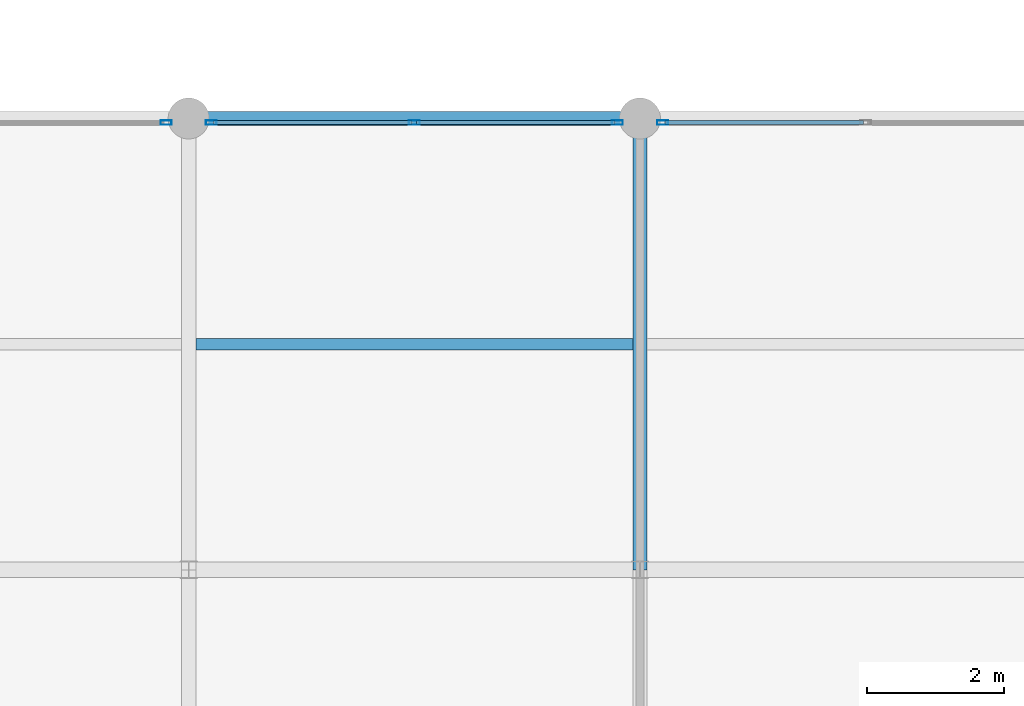
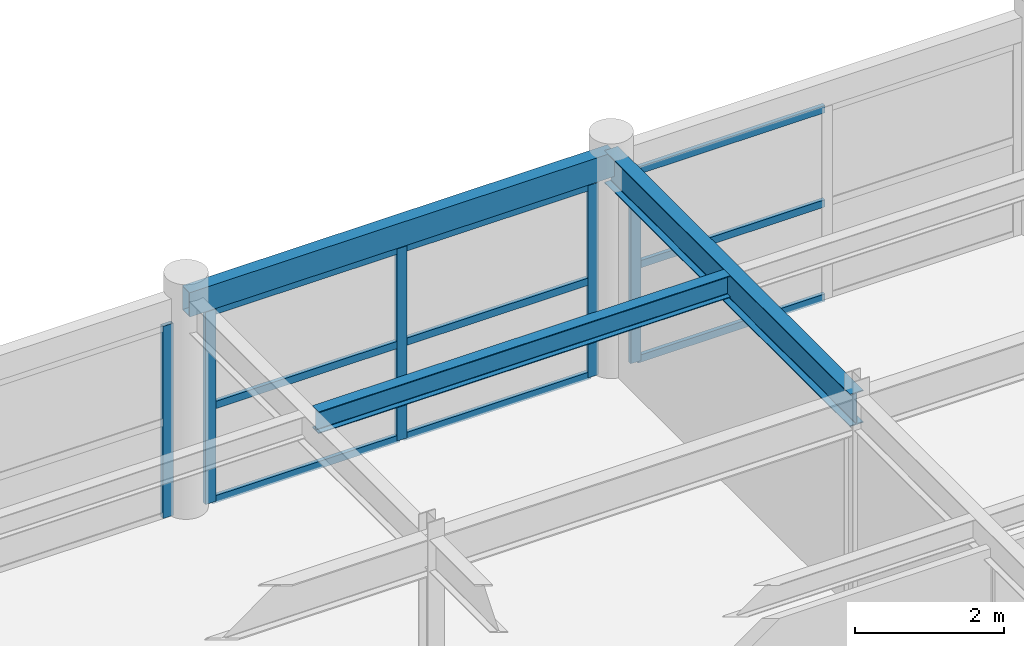
# One storey, part 7 of 28: 14 members, 3 beams, 3 elements without a shape of their own.
"""IFC4 building model written with IfcOpenShell, lengths in metres."""

from ifc_helpers import new_model, si_unit, direction, frame, origin, origin_2d, place, context, subcontext, project, spatial, hollow_rectangle, i_section, extrude, material, material_profile, profile_set, type_object, element, aggregate, save


model = new_model("IFC4")

# Units and contexts
model_context = context("Model", 3, precision=1e-05, world=origin(), true_north=direction((0.0, 1.0)))
body_context = subcontext(model_context, "Body", "Model", "MODEL_VIEW")
ifc_project = project(units=[si_unit("LENGTHUNIT", "METRE"), si_unit("AREAUNIT", "SQUARE_METRE"), si_unit("VOLUMEUNIT", "CUBIC_METRE"), si_unit("PLANEANGLEUNIT", "RADIAN"), si_unit("MASSUNIT", "GRAM", prefix="KILO")], contexts=[model_context])

# Site, building, storey
site_placement = place(None, origin())
site = spatial("IfcSite", under=ifc_project, at=site_placement, CompositionType="ELEMENT")
building_placement = place(site_placement, origin())
building = spatial("IfcBuilding", under=site, at=building_placement, Name="Karori Crest Natural Sciences Institute", CompositionType="ELEMENT")
storey_placement = place(building_placement, frame((0.0, 0.0, 34.300048828125)))
storey = spatial("IfcBuildingStorey", under=building, at=storey_placement, Name="L08", CompositionType="ELEMENT", Elevation=34.300048828125)

# Beams
ifc_material_1 = material(Name="Structural steel AS/NZS 3679.1 Grade 350", Category="steel")
ifc_material_profile_1 = material_profile(ifc_material_1, i_section(OverallWidth=0.208984375, OverallDepth=0.532958984375, WebThickness=0.01025390625, FlangeThickness=0.015625, FilletRadius=0.013916015625, at=origin_2d()), Name="530UB92.4")
ifc_profile_set_1 = profile_set([ifc_material_profile_1], Name="Structural steel AS/NZS 3679.1 Grade 350")
beam_type_1 = type_object("IfcBeamType", Name="BT-05", PredefinedType="BEAM", material=ifc_profile_set_1)
beam_1_placement = place(storey_placement, frame((116.800048828125, 14.0, 3.303466796875), z_axis=(0.0, 1.0, 0.0), x_axis=(-1.0, 0.0, 0.0)))
element("IfcBeam", 1, at=beam_1_placement, inside=storey, type_object=beam_type_1, Name="Beam B-2729", PredefinedType="BEAM", context=body_context, shape_type="SweptSolid", body=[
    extrude(i_section(OverallWidth=0.208984375, OverallDepth=0.532958984375, WebThickness=0.01025390625, FlangeThickness=0.015625, FilletRadius=0.013916015625, at=origin_2d()), origin(), (0.0, 0.0, 1.0), 6.60009765625),
])
ifc_material_profile_2 = material_profile(ifc_material_1, i_section(OverallWidth=0.172119140625, OverallDepth=0.35888671875, WebThickness=0.008056640625, FlangeThickness=0.012939453125, FilletRadius=0.010986328125, at=origin_2d()), Name="360UB56.7")
ifc_profile_set_2 = profile_set([ifc_material_profile_2], Name="Structural steel AS/NZS 3679.1 Grade 350")
beam_type_2 = type_object("IfcBeamType", Name="BT-08", PredefinedType="BEAM", material=ifc_profile_set_2)
beam_2_placement = place(storey_placement, frame((110.304443359375, 17.300048828125, 3.390380859375), z_axis=(1.0, 0.0, 0.0), x_axis=(0.0, 1.0, 0.0)))
element("IfcBeam", 2, at=beam_2_placement, inside=storey, type_object=beam_type_2, Name="Beam B-2748", PredefinedType="BEAM", context=body_context, shape_type="SweptSolid", body=[
    extrude(i_section(OverallWidth=0.172119140625, OverallDepth=0.35888671875, WebThickness=0.008056640625, FlangeThickness=0.012939453125, FilletRadius=0.010986328125, at=origin_2d()), origin(), (0.0, 0.0, 1.0), 6.39111328125),
])
ifc_material_2 = material(Name="Hollow structural steel AS/NZS 1163 Grade C350", Category="steel")
ifc_material_profile_3 = material_profile(ifc_material_2, hollow_rectangle(XDim=0.199951171875, YDim=0.39990234375, WallThickness=0.012451171875, at=origin_2d()), Name="RHS400x200x12.5")
ifc_profile_set_3 = profile_set([ifc_material_profile_3], Name="Hollow structural steel AS/NZS 1163 Grade C350")
beam_type_3 = type_object("IfcBeamType", Name="BT-14", PredefinedType="SPANDREL", material=ifc_profile_set_3)
beam_3_placement = place(storey_placement, frame((110.199951171875, 20.60009765625, 3.369873046875), z_axis=(1.0, 0.0, 0.0), x_axis=(0.0, 1.0, 0.0)))
element("IfcBeam", 3, at=beam_3_placement, inside=storey, type_object=beam_type_3, Name="Beam B-2715", PredefinedType="SPANDREL", context=body_context, shape_type="SweptSolid", body=[
    extrude(hollow_rectangle(XDim=0.199951171875, YDim=0.39990234375, WallThickness=0.012451171875, at=origin_2d()), origin(), (0.0, 0.0, 1.0), 6.60009765625),
])

# Curtain wall, member
ifc_material_3 = material(Name="Anodised architectural aluminium 6063-T6", Category="aluminium")
curtain_wall_type = type_object("IfcCurtainWallType", Name="CWT-20", PredefinedType="NOTDEFINED", material=ifc_material_3)
curtain_wall_1_placement = place(storey_placement, origin())
curtain_wall_1 = element("IfcCurtainWall", 4, at=curtain_wall_1_placement, inside=storey, type_object=curtain_wall_type, Name="Curtain wall CW-0365", PredefinedType="NOTDEFINED")
ifc_material_profile_4 = material_profile(ifc_material_3, hollow_rectangle(XDim=0.06494140625, YDim=0.159912109375, WallThickness=0.00390625, at=origin_2d()), Name="CWM160x65x4")
ifc_profile_set_4 = profile_set([ifc_material_profile_4], Name="Anodised architectural aluminium 6063-T6")
member_type_1 = type_object("IfcMemberType", Name="CWM-01", PredefinedType="MULLION", material=ifc_profile_set_4)
member_1_placement = place(storey_placement, frame((109.869384765625, 20.5400390625, 0.0), z_axis=(0.0, 0.0, 1.0), x_axis=(0.0, 1.0, 0.0)))
member_1 = element("IfcMember", 5, at=member_1_placement, type_object=member_type_1, Name="CW-0365 mullion 3", PredefinedType="MULLION", context=body_context, shape_type="SweptSolid", body=[
    extrude(hollow_rectangle(XDim=0.06494140625, YDim=0.159912109375, WallThickness=0.00390625, at=origin_2d()), origin(), (0.0, 0.0, 1.0), 3.155029296875),
])
aggregate(curtain_wall_1, [member_1])

# Curtain wall, members
curtain_wall_2_placement = place(storey_placement, origin())
curtain_wall_2 = element("IfcCurtainWall", 6, at=curtain_wall_2_placement, inside=storey, type_object=curtain_wall_type, Name="Curtain wall CW-0366", PredefinedType="NOTDEFINED")
member_2_placement = place(storey_placement, frame((110.530517578125, 20.5400390625, 0.0), z_axis=(0.0, 0.0, 1.0), x_axis=(0.0, 1.0, 0.0)))
member_2 = element("IfcMember", 7, at=member_2_placement, type_object=member_type_1, Name="CW-0366 mullion 1", PredefinedType="MULLION", context=body_context, shape_type="SweptSolid", body=[
    extrude(hollow_rectangle(XDim=0.06494140625, YDim=0.159912109375, WallThickness=0.00390625, at=origin_2d()), origin(), (0.0, 0.0, 1.0), 3.155029296875),
])
member_3_placement = place(storey_placement, frame((113.5, 20.5400390625, 0.0), z_axis=(0.0, 0.0, 1.0), x_axis=(0.0, 1.0, 0.0)))
member_3 = element("IfcMember", 8, at=member_3_placement, type_object=member_type_1, Name="CW-0366 mullion 2", PredefinedType="MULLION", context=body_context, shape_type="SweptSolid", body=[
    extrude(hollow_rectangle(XDim=0.06494140625, YDim=0.159912109375, WallThickness=0.00390625, at=origin_2d()), origin(), (0.0, 0.0, 1.0), 3.155029296875),
])
member_4_placement = place(storey_placement, frame((116.469482421875, 20.5400390625, 0.0), z_axis=(0.0, 0.0, 1.0), x_axis=(0.0, 1.0, 0.0)))
member_4 = element("IfcMember", 9, at=member_4_placement, type_object=member_type_1, Name="CW-0366 mullion 3", PredefinedType="MULLION", context=body_context, shape_type="SweptSolid", body=[
    extrude(hollow_rectangle(XDim=0.06494140625, YDim=0.159912109375, WallThickness=0.00390625, at=origin_2d()), origin(), (0.0, 0.0, 1.0), 3.155029296875),
])

# Curtain wall, member
curtain_wall_3_placement = place(storey_placement, origin())
curtain_wall_3 = element("IfcCurtainWall", 10, at=curtain_wall_3_placement, inside=storey, type_object=curtain_wall_type, Name="Curtain wall CW-0367", PredefinedType="NOTDEFINED")
member_5_placement = place(storey_placement, frame((117.130615234375, 20.5400390625, 0.0), z_axis=(0.0, 0.0, 1.0), x_axis=(0.0, 1.0, 0.0)))
member_5 = element("IfcMember", 11, at=member_5_placement, type_object=member_type_1, Name="CW-0367 mullion 1", PredefinedType="MULLION", context=body_context, shape_type="SweptSolid", body=[
    extrude(hollow_rectangle(XDim=0.06494140625, YDim=0.159912109375, WallThickness=0.00390625, at=origin_2d()), origin(), (0.0, 0.0, 1.0), 3.155029296875),
])

# Member
ifc_material_profile_5 = material_profile(ifc_material_3, hollow_rectangle(XDim=0.06005859375, YDim=0.1201171875, WallThickness=0.00390625, at=origin_2d()), Name="CWT120x60x4")
ifc_profile_set_5 = profile_set([ifc_material_profile_5], Name="Anodised architectural aluminium 6063-T6")
member_type_2 = type_object("IfcMemberType", Name="CWT-TR1", PredefinedType="USERDEFINED", material=ifc_profile_set_5)
member_6_placement = place(storey_placement, frame((110.56298828125, 20.5400390625, 0.030029296875), z_axis=(1.0, 0.0, 0.0), x_axis=(0.0, 1.0, 0.0)))
member_6 = element("IfcMember", 12, at=member_6_placement, type_object=member_type_2, Name="CW-0366 transom 1.1", ObjectType="TRANSOM", PredefinedType="USERDEFINED", context=body_context, shape_type="SweptSolid", body=[
    extrude(hollow_rectangle(XDim=0.06005859375, YDim=0.1201171875, WallThickness=0.00390625, at=origin_2d()), origin(), (0.0, 0.0, 1.0), 2.904541015625),
])

member_7_placement = place(storey_placement, frame((110.56298828125, 20.5400390625, 1.577392578125), z_axis=(1.0, 0.0, 0.0), x_axis=(0.0, 1.0, 0.0)))
member_7 = element("IfcMember", 13, at=member_7_placement, type_object=member_type_2, Name="CW-0366 transom 1.2", ObjectType="TRANSOM", PredefinedType="USERDEFINED", context=body_context, shape_type="SweptSolid", body=[
    extrude(hollow_rectangle(XDim=0.06005859375, YDim=0.1201171875, WallThickness=0.00390625, at=origin_2d()), origin(), (0.0, 0.0, 1.0), 2.904541015625),
])

member_8_placement = place(storey_placement, frame((110.56298828125, 20.5400390625, 3.125), z_axis=(1.0, 0.0, 0.0), x_axis=(0.0, 1.0, 0.0)))
member_8 = element("IfcMember", 14, at=member_8_placement, type_object=member_type_2, Name="CW-0366 transom 1.3", ObjectType="TRANSOM", PredefinedType="USERDEFINED", context=body_context, shape_type="SweptSolid", body=[
    extrude(hollow_rectangle(XDim=0.06005859375, YDim=0.1201171875, WallThickness=0.00390625, at=origin_2d()), origin(), (0.0, 0.0, 1.0), 2.904541015625),
])

member_9_placement = place(storey_placement, frame((113.532470703125, 20.5400390625, 0.030029296875), z_axis=(1.0, 0.0, 0.0), x_axis=(0.0, 1.0, 0.0)))
member_9 = element("IfcMember", 15, at=member_9_placement, type_object=member_type_2, Name="CW-0366 transom 2.1", ObjectType="TRANSOM", PredefinedType="USERDEFINED", context=body_context, shape_type="SweptSolid", body=[
    extrude(hollow_rectangle(XDim=0.06005859375, YDim=0.1201171875, WallThickness=0.00390625, at=origin_2d()), origin(), (0.0, 0.0, 1.0), 2.904541015625),
])

member_10_placement = place(storey_placement, frame((113.532470703125, 20.5400390625, 1.577392578125), z_axis=(1.0, 0.0, 0.0), x_axis=(0.0, 1.0, 0.0)))
member_10 = element("IfcMember", 16, at=member_10_placement, type_object=member_type_2, Name="CW-0366 transom 2.2", ObjectType="TRANSOM", PredefinedType="USERDEFINED", context=body_context, shape_type="SweptSolid", body=[
    extrude(hollow_rectangle(XDim=0.06005859375, YDim=0.1201171875, WallThickness=0.00390625, at=origin_2d()), origin(), (0.0, 0.0, 1.0), 2.904541015625),
])

member_11_placement = place(storey_placement, frame((113.532470703125, 20.5400390625, 3.125), z_axis=(1.0, 0.0, 0.0), x_axis=(0.0, 1.0, 0.0)))
member_11 = element("IfcMember", 17, at=member_11_placement, type_object=member_type_2, Name="CW-0366 transom 2.3", ObjectType="TRANSOM", PredefinedType="USERDEFINED", context=body_context, shape_type="SweptSolid", body=[
    extrude(hollow_rectangle(XDim=0.06005859375, YDim=0.1201171875, WallThickness=0.00390625, at=origin_2d()), origin(), (0.0, 0.0, 1.0), 2.904541015625),
])

aggregate(curtain_wall_2, [member_2, member_3, member_4, member_6, member_7, member_8, member_9, member_10, member_11])

member_12_placement = place(storey_placement, frame((117.1630859375, 20.5400390625, 0.030029296875), z_axis=(1.0, 0.0, 0.0), x_axis=(0.0, 1.0, 0.0)))
member_12 = element("IfcMember", 18, at=member_12_placement, type_object=member_type_2, Name="CW-0367 transom 1.1", ObjectType="TRANSOM", PredefinedType="USERDEFINED", context=body_context, shape_type="SweptSolid", body=[
    extrude(hollow_rectangle(XDim=0.06005859375, YDim=0.1201171875, WallThickness=0.00390625, at=origin_2d()), origin(), (0.0, 0.0, 1.0), 2.904296875),
])

member_13_placement = place(storey_placement, frame((117.1630859375, 20.5400390625, 1.577392578125), z_axis=(1.0, 0.0, 0.0), x_axis=(0.0, 1.0, 0.0)))
member_13 = element("IfcMember", 19, at=member_13_placement, type_object=member_type_2, Name="CW-0367 transom 1.2", ObjectType="TRANSOM", PredefinedType="USERDEFINED", context=body_context, shape_type="SweptSolid", body=[
    extrude(hollow_rectangle(XDim=0.06005859375, YDim=0.1201171875, WallThickness=0.00390625, at=origin_2d()), origin(), (0.0, 0.0, 1.0), 2.904296875),
])

member_14_placement = place(storey_placement, frame((117.1630859375, 20.5400390625, 3.125), z_axis=(1.0, 0.0, 0.0), x_axis=(0.0, 1.0, 0.0)))
member_14 = element("IfcMember", 20, at=member_14_placement, type_object=member_type_2, Name="CW-0367 transom 1.3", ObjectType="TRANSOM", PredefinedType="USERDEFINED", context=body_context, shape_type="SweptSolid", body=[
    extrude(hollow_rectangle(XDim=0.06005859375, YDim=0.1201171875, WallThickness=0.00390625, at=origin_2d()), origin(), (0.0, 0.0, 1.0), 2.904296875),
])

aggregate(curtain_wall_3, [member_5, member_12, member_13, member_14])

save(model, "model.ifc")
